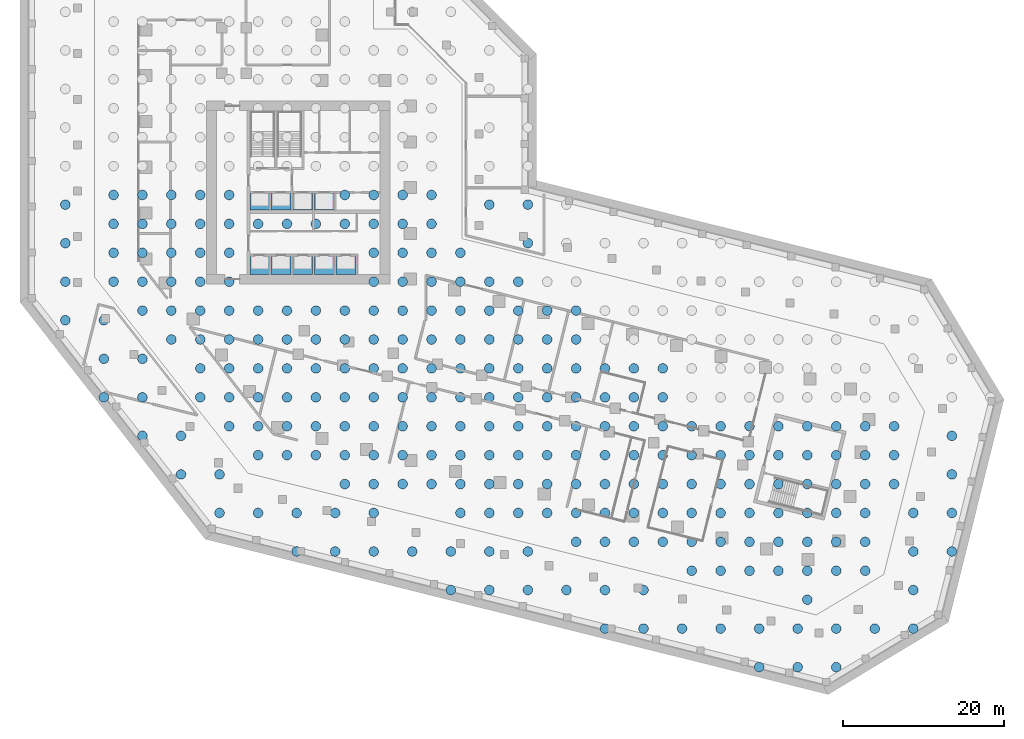
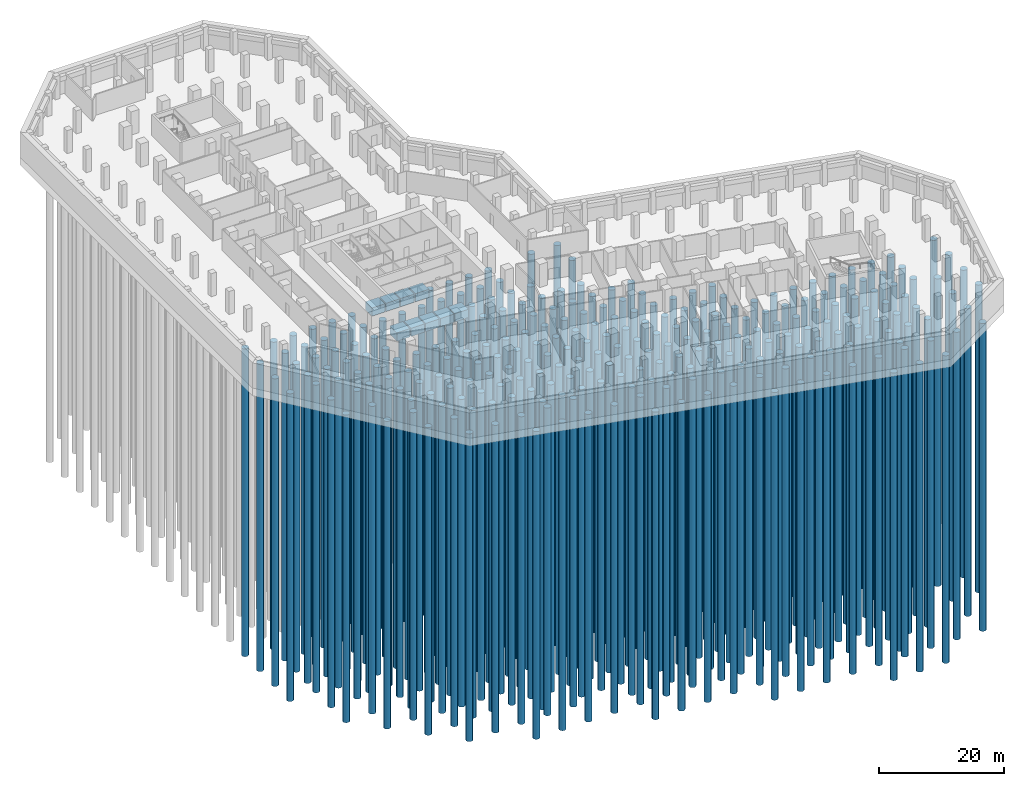
# One storey, part 1 of 15: 260 piles, 9 footings.
"""IFC4 building model written with IfcOpenShell, lengths in metres."""

from ifc_helpers import new_model, si_unit, direction, frame, origin, origin_2d, place, context, subcontext, project, spatial, polyline, circle, outline, extrude, material, layer, layer_set, material_profile, profile_set, type_object, element, save


model = new_model("IFC4")

# Units and contexts
model_context = context("Model", 3, precision=1e-05, world=origin(), true_north=direction((0.0, 1.0)))
body_context = subcontext(model_context, "Body", "Model", "MODEL_VIEW")
ifc_project = project(units=[si_unit("LENGTHUNIT", "METRE"), si_unit("AREAUNIT", "SQUARE_METRE"), si_unit("VOLUMEUNIT", "CUBIC_METRE"), si_unit("PLANEANGLEUNIT", "RADIAN"), si_unit("MASSUNIT", "GRAM", prefix="KILO")], contexts=[model_context])

# Site, building, storey
site_placement = place(None, origin())
site = spatial("IfcSite", under=ifc_project, at=site_placement, CompositionType="ELEMENT")
building_placement = place(site_placement, origin())
building = spatial("IfcBuilding", under=site, at=building_placement, Name="Meshkara Civic Tower", CompositionType="ELEMENT")
storey_placement = place(building_placement, frame((0.0, 0.0, -9.0)))
storey = spatial("IfcBuildingStorey", under=building, at=storey_placement, Name="B2", CompositionType="ELEMENT", Elevation=-9.0)

# Piles
ifc_material_1 = material(Name="Concrete C50", Category="concrete")
ifc_material_profile = material_profile(ifc_material_1, circle(Radius=0.60009765625, at=origin_2d()))
ifc_profile_set = profile_set([ifc_material_profile], Name="Concrete C50")
pile_type = type_object("IfcPileType", Name="Bored pile D1200 C50", PredefinedType="BORED", material=ifc_profile_set)
for number, where, z_axis, x_axis, name in (
    (1, (-3.60009765625, 14.39990234375, -3.25), (0.0, 0.0, -1.0), (1.0, 0.0, 0.0), "Bored pile"),
    (2, (-3.60009765625, 18.0, -3.25), (0.0, 0.0, -1.0), (1.0, 0.0, 0.0), "Bored pile"),
    (3, (-3.60009765625, 21.60009765625, -3.25), (0.0, 0.0, -1.0), (1.0, 0.0, 0.0), "Bored pile"),
    (4, (-3.60009765625, 25.199951171875, -3.25), (0.0, 0.0, -1.0), (1.0, 0.0, 0.0), "Bored pile"),
    (5, (0.0, 10.800048828125, -3.25), (0.0, 0.0, -1.0), (1.0, 0.0, 0.0), "Bored pile"),
    (6, (0.0, 14.39990234375, -3.25), (0.0, 0.0, -1.0), (1.0, 0.0, 0.0), "Bored pile"),
    (7, (0.0, 18.0, -3.25), (0.0, 0.0, -1.0), (1.0, 0.0, 0.0), "Bored pile"),
    (8, (0.0, 21.60009765625, -3.25), (0.0, 0.0, -1.0), (1.0, 0.0, 0.0), "Bored pile"),
    (9, (0.0, 25.199951171875, -3.25), (0.0, 0.0, -1.0), (1.0, 0.0, 0.0), "Bored pile"),
    (10, (3.60009765625, 7.199951171875, -3.25), (0.0, 0.0, -1.0), (1.0, 0.0, 0.0), "Bored pile"),
    (11, (3.60009765625, 10.800048828125, -3.25), (0.0, 0.0, -1.0), (1.0, 0.0, 0.0), "Bored pile"),
    (12, (3.60009765625, 14.39990234375, -3.25), (0.0, 0.0, -1.0), (1.0, 0.0, 0.0), "Bored pile"),
    (13, (3.60009765625, 18.0, -3.25), (0.0, 0.0, -1.0), (1.0, 0.0, 0.0), "Bored pile"),
    (14, (3.60009765625, 21.60009765625, -3.25), (0.0, 0.0, -1.0), (1.0, 0.0, 0.0), "Bored pile"),
    (15, (3.60009765625, 25.199951171875, -3.25), (0.0, 0.0, -1.0), (1.0, 0.0, 0.0), "Bored pile"),
    (16, (7.199951171875, 0.0, -3.25), (0.0, 0.0, -1.0), (1.0, 0.0, 0.0), "Bored pile"),
    (17, (7.199951171875, 3.60009765625, -3.25), (0.0, 0.0, -1.0), (1.0, 0.0, 0.0), "Bored pile"),
    (18, (7.199951171875, 7.199951171875, -3.25), (0.0, 0.0, -1.0), (1.0, 0.0, 0.0), "Bored pile"),
    (19, (7.199951171875, 10.800048828125, -3.25), (0.0, 0.0, -1.0), (1.0, 0.0, 0.0), "Bored pile"),
    (20, (7.199951171875, 14.39990234375, -3.25), (0.0, 0.0, -1.0), (1.0, 0.0, 0.0), "Bored pile"),
    (21, (7.199951171875, 18.0, -3.25), (0.0, 0.0, -1.0), (1.0, 0.0, 0.0), "Bored pile"),
    (22, (7.199951171875, 21.60009765625, -3.25), (0.0, 0.0, -1.0), (1.0, 0.0, 0.0), "Bored pile"),
    (23, (7.199951171875, 25.199951171875, -3.25), (0.0, 0.0, -1.0), (1.0, 0.0, 0.0), "Bored pile"),
    (24, (10.800048828125, -3.60009765625, -3.25), (0.0, 0.0, -1.0), (1.0, 0.0, 0.0), "Bored pile"),
    (25, (10.800048828125, 0.0, -3.25), (0.0, 0.0, -1.0), (1.0, 0.0, 0.0), "Bored pile"),
    (26, (10.800048828125, 3.60009765625, -3.25), (0.0, 0.0, -1.0), (1.0, 0.0, 0.0), "Bored pile"),
    (27, (10.800048828125, 7.199951171875, -3.25), (0.0, 0.0, -1.0), (1.0, 0.0, 0.0), "Bored pile"),
    (28, (10.800048828125, 10.800048828125, -3.25), (0.0, 0.0, -1.0), (1.0, 0.0, 0.0), "Bored pile"),
    (29, (10.800048828125, 14.39990234375, -3.25), (0.0, 0.0, -1.0), (1.0, 0.0, 0.0), "Bored pile"),
    (30, (10.800048828125, 18.0, -3.25), (0.0, 0.0, -1.0), (1.0, 0.0, 0.0), "Bored pile"),
    (31, (10.800048828125, 21.60009765625, -3.25), (0.0, 0.0, -1.0), (1.0, 0.0, 0.0), "Bored pile"),
    (32, (10.800048828125, 25.199951171875, -3.25), (0.0, 0.0, -1.0), (1.0, 0.0, 0.0), "Bored pile"),
    (33, (14.39990234375, -7.199951171875, -3.25), (0.0, 0.0, -1.0), (1.0, 0.0, 0.0), "Bored pile"),
    (34, (14.39990234375, -3.60009765625, -3.25), (0.0, 0.0, -1.0), (1.0, 0.0, 0.0), "Bored pile"),
    (35, (14.39990234375, 0.0, -3.25), (0.0, 0.0, -1.0), (1.0, 0.0, 0.0), "Bored pile"),
    (36, (14.39990234375, 3.60009765625, -3.25), (0.0, 0.0, -1.0), (1.0, 0.0, 0.0), "Bored pile"),
    (37, (14.39990234375, 7.199951171875, -3.25), (0.0, 0.0, -1.0), (1.0, 0.0, 0.0), "Bored pile"),
    (38, (14.39990234375, 10.800048828125, -3.25), (0.0, 0.0, -1.0), (1.0, 0.0, 0.0), "Bored pile"),
    (39, (14.39990234375, 21.60009765625, -3.25), (0.0, 0.0, -1.0), (1.0, 0.0, 0.0), "Bored pile"),
    (40, (18.0, -7.199951171875, -3.25), (0.0, 0.0, -1.0), (1.0, 0.0, 0.0), "Bored pile"),
    (41, (18.0, -3.60009765625, -3.25), (0.0, 0.0, -1.0), (1.0, 0.0, 0.0), "Bored pile"),
    (42, (18.0, 0.0, -3.25), (0.0, 0.0, -1.0), (1.0, 0.0, 0.0), "Bored pile"),
    (43, (18.0, 3.60009765625, -3.25), (0.0, 0.0, -1.0), (1.0, 0.0, 0.0), "Bored pile"),
    (44, (18.0, 7.199951171875, -3.25), (0.0, 0.0, -1.0), (1.0, 0.0, 0.0), "Bored pile"),
    (45, (18.0, 10.800048828125, -3.25), (0.0, 0.0, -1.0), (1.0, 0.0, 0.0), "Bored pile"),
    (46, (18.0, 21.60009765625, -3.25), (0.0, 0.0, -1.0), (1.0, 0.0, 0.0), "Bored pile"),
    (47, (21.60009765625, -7.199951171875, -3.25), (0.0, 0.0, -1.0), (1.0, 0.0, 0.0), "Bored pile"),
    (48, (21.60009765625, -3.60009765625, -3.25), (0.0, 0.0, -1.0), (1.0, 0.0, 0.0), "Bored pile"),
    (49, (21.60009765625, 0.0, -3.25), (0.0, 0.0, -1.0), (1.0, 0.0, 0.0), "Bored pile"),
    (50, (21.60009765625, 3.60009765625, -3.25), (0.0, 0.0, -1.0), (1.0, 0.0, 0.0), "Bored pile"),
    (51, (21.60009765625, 7.199951171875, -3.25), (0.0, 0.0, -1.0), (1.0, 0.0, 0.0), "Bored pile"),
    (52, (21.60009765625, 10.800048828125, -3.25), (0.0, 0.0, -1.0), (1.0, 0.0, 0.0), "Bored pile"),
    (53, (21.60009765625, 21.60009765625, -3.25), (0.0, 0.0, -1.0), (1.0, 0.0, 0.0), "Bored pile"),
    (54, (25.199951171875, -10.800048828125, -3.25), (0.0, 0.0, -1.0), (1.0, 0.0, 0.0), "Bored pile"),
    (55, (25.199951171875, -7.199951171875, -3.25), (0.0, 0.0, -1.0), (1.0, 0.0, 0.0), "Bored pile"),
    (56, (25.199951171875, -3.60009765625, -3.25), (0.0, 0.0, -1.0), (1.0, 0.0, 0.0), "Bored pile"),
    (57, (25.199951171875, 0.0, -3.25), (0.0, 0.0, -1.0), (1.0, 0.0, 0.0), "Bored pile"),
    (58, (25.199951171875, 3.60009765625, -3.25), (0.0, 0.0, -1.0), (1.0, 0.0, 0.0), "Bored pile"),
    (59, (25.199951171875, 7.199951171875, -3.25), (0.0, 0.0, -1.0), (1.0, 0.0, 0.0), "Bored pile"),
    (60, (25.199951171875, 10.800048828125, -3.25), (0.0, 0.0, -1.0), (1.0, 0.0, 0.0), "Bored pile"),
    (61, (25.199951171875, 21.60009765625, -3.25), (0.0, 0.0, -1.0), (1.0, 0.0, 0.0), "Bored pile"),
    (62, (25.199951171875, 25.199951171875, -3.25), (0.0, 0.0, -1.0), (1.0, 0.0, 0.0), "Bored pile"),
    (63, (28.800048828125, -10.800048828125, -3.25), (0.0, 0.0, -1.0), (1.0, 0.0, 0.0), "Bored pile"),
    (64, (28.800048828125, -7.199951171875, -3.25), (0.0, 0.0, -1.0), (1.0, 0.0, 0.0), "Bored pile"),
    (65, (28.800048828125, -3.60009765625, -3.25), (0.0, 0.0, -1.0), (1.0, 0.0, 0.0), "Bored pile"),
    (66, (28.800048828125, 0.0, -3.25), (0.0, 0.0, -1.0), (1.0, 0.0, 0.0), "Bored pile"),
    (67, (28.800048828125, 3.60009765625, -3.25), (0.0, 0.0, -1.0), (1.0, 0.0, 0.0), "Bored pile"),
    (68, (28.800048828125, 7.199951171875, -3.25), (0.0, 0.0, -1.0), (1.0, 0.0, 0.0), "Bored pile"),
    (69, (28.800048828125, 10.800048828125, -3.25), (0.0, 0.0, -1.0), (1.0, 0.0, 0.0), "Bored pile"),
    (70, (28.800048828125, 14.39990234375, -3.25), (0.0, 0.0, -1.0), (1.0, 0.0, 0.0), "Bored pile"),
    (71, (28.800048828125, 18.0, -3.25), (0.0, 0.0, -1.0), (1.0, 0.0, 0.0), "Bored pile"),
    (72, (28.800048828125, 21.60009765625, -3.25), (0.0, 0.0, -1.0), (1.0, 0.0, 0.0), "Bored pile"),
    (73, (28.800048828125, 25.199951171875, -3.25), (0.0, 0.0, -1.0), (1.0, 0.0, 0.0), "Bored pile"),
    (74, (32.39990234375, -10.800048828125, -3.25), (0.0, 0.0, -1.0), (1.0, 0.0, 0.0), "Bored pile"),
    (75, (32.39990234375, -7.199951171875, -3.25), (0.0, 0.0, -1.0), (1.0, 0.0, 0.0), "Bored pile"),
    (76, (32.39990234375, -3.60009765625, -3.25), (0.0, 0.0, -1.0), (1.0, 0.0, 0.0), "Bored pile"),
    (77, (32.39990234375, 0.0, -3.25), (0.0, 0.0, -1.0), (1.0, 0.0, 0.0), "Bored pile"),
    (78, (32.39990234375, 3.60009765625, -3.25), (0.0, 0.0, -1.0), (1.0, 0.0, 0.0), "Bored pile"),
    (79, (32.39990234375, 7.199951171875, -3.25), (0.0, 0.0, -1.0), (1.0, 0.0, 0.0), "Bored pile"),
    (80, (32.39990234375, 10.800048828125, -3.25), (0.0, 0.0, -1.0), (1.0, 0.0, 0.0), "Bored pile"),
    (81, (32.39990234375, 14.39990234375, -3.25), (0.0, 0.0, -1.0), (1.0, 0.0, 0.0), "Bored pile"),
    (82, (32.39990234375, 18.0, -3.25), (0.0, 0.0, -1.0), (1.0, 0.0, 0.0), "Bored pile"),
    (83, (32.39990234375, 21.60009765625, -3.25), (0.0, 0.0, -1.0), (1.0, 0.0, 0.0), "Bored pile"),
    (84, (32.39990234375, 25.199951171875, -3.25), (0.0, 0.0, -1.0), (1.0, 0.0, 0.0), "Bored pile"),
    (85, (36.0, -10.800048828125, -3.25), (0.0, 0.0, -1.0), (1.0, 0.0, 0.0), "Bored pile"),
    (86, (36.0, -7.199951171875, -3.25), (0.0, 0.0, -1.0), (1.0, 0.0, 0.0), "Bored pile"),
    (87, (36.0, -3.60009765625, -3.25), (0.0, 0.0, -1.0), (1.0, 0.0, 0.0), "Bored pile"),
    (88, (36.0, 0.0, -3.25), (0.0, 0.0, -1.0), (1.0, 0.0, 0.0), "Bored pile"),
    (89, (36.0, 3.60009765625, -3.25), (0.0, 0.0, -1.0), (1.0, 0.0, 0.0), "Bored pile"),
    (90, (36.0, 7.199951171875, -3.25), (0.0, 0.0, -1.0), (1.0, 0.0, 0.0), "Bored pile"),
    (91, (36.0, 10.800048828125, -3.25), (0.0, 0.0, -1.0), (1.0, 0.0, 0.0), "Bored pile"),
    (92, (36.0, 14.39990234375, -3.25), (0.0, 0.0, -1.0), (1.0, 0.0, 0.0), "Bored pile"),
    (93, (36.0, 18.0, -3.25), (0.0, 0.0, -1.0), (1.0, 0.0, 0.0), "Bored pile"),
    (94, (36.0, 21.60009765625, -3.25), (0.0, 0.0, -1.0), (1.0, 0.0, 0.0), "Bored pile"),
    (95, (36.0, 25.199951171875, -3.25), (0.0, 0.0, -1.0), (1.0, 0.0, 0.0), "Bored pile"),
    (96, (39.60009765625, -14.39990234375, -3.25), (0.0, 0.0, -1.0), (1.0, 0.0, 0.0), "Bored pile"),
    (97, (39.60009765625, -10.800048828125, -3.25), (0.0, 0.0, -1.0), (1.0, 0.0, 0.0), "Bored pile"),
    (98, (39.60009765625, -7.199951171875, -3.25), (0.0, 0.0, -1.0), (1.0, 0.0, 0.0), "Bored pile"),
    (99, (39.60009765625, -3.60009765625, -3.25), (0.0, 0.0, -1.0), (1.0, 0.0, 0.0), "Bored pile"),
    (100, (39.60009765625, 0.0, -3.25), (0.0, 0.0, -1.0), (1.0, 0.0, 0.0), "Bored pile"),
    (101, (39.60009765625, 3.60009765625, -3.25), (0.0, 0.0, -1.0), (1.0, 0.0, 0.0), "Bored pile"),
    (102, (39.60009765625, 7.199951171875, -3.25), (0.0, 0.0, -1.0), (1.0, 0.0, 0.0), "Bored pile"),
    (103, (39.60009765625, 10.800048828125, -3.25), (0.0, 0.0, -1.0), (1.0, 0.0, 0.0), "Bored pile"),
    (104, (39.60009765625, 14.39990234375, -3.25), (0.0, 0.0, -1.0), (1.0, 0.0, 0.0), "Bored pile"),
    (105, (39.60009765625, 18.0, -3.25), (0.0, 0.0, -1.0), (1.0, 0.0, 0.0), "Bored pile"),
    (106, (43.199951171875, -14.39990234375, -3.25), (0.0, 0.0, -1.0), (1.0, 0.0, 0.0), "Bored pile"),
    (107, (43.199951171875, -10.800048828125, -3.25), (0.0, 0.0, -1.0), (1.0, 0.0, 0.0), "Bored pile"),
    (108, (43.199951171875, -7.199951171875, -3.25), (0.0, 0.0, -1.0), (1.0, 0.0, 0.0), "Bored pile"),
    (109, (43.199951171875, -3.60009765625, -3.25), (0.0, 0.0, -1.0), (1.0, 0.0, 0.0), "Bored pile"),
    (110, (43.199951171875, 0.0, -3.25), (0.0, 0.0, -1.0), (1.0, 0.0, 0.0), "Bored pile"),
    (111, (43.199951171875, 3.60009765625, -3.25), (0.0, 0.0, -1.0), (1.0, 0.0, 0.0), "Bored pile"),
    (112, (43.199951171875, 7.199951171875, -3.25), (0.0, 0.0, -1.0), (1.0, 0.0, 0.0), "Bored pile"),
    (113, (43.199951171875, 10.800048828125, -3.25), (0.0, 0.0, -1.0), (1.0, 0.0, 0.0), "Bored pile"),
    (114, (43.199951171875, 14.39990234375, -3.25), (0.0, 0.0, -1.0), (1.0, 0.0, 0.0), "Bored pile"),
    (115, (46.800048828125, -14.39990234375, -3.25), (0.0, 0.0, -1.0), (1.0, 0.0, 0.0), "Bored pile"),
    (116, (46.800048828125, -10.800048828125, -3.25), (0.0, 0.0, -1.0), (1.0, 0.0, 0.0), "Bored pile"),
    (117, (46.800048828125, -7.199951171875, -3.25), (0.0, 0.0, -1.0), (1.0, 0.0, 0.0), "Bored pile"),
    (118, (46.800048828125, -3.60009765625, -3.25), (0.0, 0.0, -1.0), (1.0, 0.0, 0.0), "Bored pile"),
    (119, (46.800048828125, 0.0, -3.25), (0.0, 0.0, -1.0), (1.0, 0.0, 0.0), "Bored pile"),
    (120, (46.800048828125, 3.60009765625, -3.25), (0.0, 0.0, -1.0), (1.0, 0.0, 0.0), "Bored pile"),
    (121, (46.800048828125, 7.199951171875, -3.25), (0.0, 0.0, -1.0), (1.0, 0.0, 0.0), "Bored pile"),
    (122, (46.800048828125, 10.800048828125, -3.25), (0.0, 0.0, -1.0), (1.0, 0.0, 0.0), "Bored pile"),
    (123, (46.800048828125, 14.39990234375, -3.25), (0.0, 0.0, -1.0), (1.0, 0.0, 0.0), "Bored pile"),
    (124, (50.39990234375, -14.39990234375, -3.25), (0.0, 0.0, -1.0), (1.0, 0.0, 0.0), "Bored pile"),
    (125, (50.39990234375, -10.800048828125, -3.25), (0.0, 0.0, -1.0), (1.0, 0.0, 0.0), "Bored pile"),
    (126, (50.39990234375, -7.199951171875, -3.25), (0.0, 0.0, -1.0), (1.0, 0.0, 0.0), "Bored pile"),
    (127, (50.39990234375, -3.60009765625, -3.25), (0.0, 0.0, -1.0), (1.0, 0.0, 0.0), "Bored pile"),
    (128, (50.39990234375, 0.0, -3.25), (0.0, 0.0, -1.0), (1.0, 0.0, 0.0), "Bored pile"),
    (129, (50.39990234375, 3.60009765625, -3.25), (0.0, 0.0, -1.0), (1.0, 0.0, 0.0), "Bored pile"),
    (130, (50.39990234375, 7.199951171875, -3.25), (0.0, 0.0, -1.0), (1.0, 0.0, 0.0), "Bored pile"),
    (131, (50.39990234375, 10.800048828125, -3.25), (0.0, 0.0, -1.0), (1.0, 0.0, 0.0), "Bored pile"),
    (132, (54.0, -18.0, -3.25), (0.0, 0.0, -1.0), (1.0, 0.0, 0.0), "Bored pile"),
    (133, (54.0, -14.39990234375, -3.25), (0.0, 0.0, -1.0), (1.0, 0.0, 0.0), "Bored pile"),
    (134, (54.0, -10.800048828125, -3.25), (0.0, 0.0, -1.0), (1.0, 0.0, 0.0), "Bored pile"),
    (135, (54.0, -7.199951171875, -3.25), (0.0, 0.0, -1.0), (1.0, 0.0, 0.0), "Bored pile"),
    (136, (54.0, -3.60009765625, -3.25), (0.0, 0.0, -1.0), (1.0, 0.0, 0.0), "Bored pile"),
    (137, (54.0, 0.0, -3.25), (0.0, 0.0, -1.0), (1.0, 0.0, 0.0), "Bored pile"),
    (138, (54.0, 3.60009765625, -3.25), (0.0, 0.0, -1.0), (1.0, 0.0, 0.0), "Bored pile"),
    (139, (54.0, 7.199951171875, -3.25), (0.0, 0.0, -1.0), (1.0, 0.0, 0.0), "Bored pile"),
    (140, (54.0, 10.800048828125, -3.25), (0.0, 0.0, -1.0), (1.0, 0.0, 0.0), "Bored pile"),
    (141, (57.60009765625, -18.0, -3.25), (0.0, 0.0, -1.0), (1.0, 0.0, 0.0), "Bored pile"),
    (142, (57.60009765625, -14.39990234375, -3.25), (0.0, 0.0, -1.0), (1.0, 0.0, 0.0), "Bored pile"),
    (143, (57.60009765625, -10.800048828125, -3.25), (0.0, 0.0, -1.0), (1.0, 0.0, 0.0), "Bored pile"),
    (144, (57.60009765625, -7.199951171875, -3.25), (0.0, 0.0, -1.0), (1.0, 0.0, 0.0), "Bored pile"),
    (145, (57.60009765625, -3.60009765625, -3.25), (0.0, 0.0, -1.0), (1.0, 0.0, 0.0), "Bored pile"),
    (146, (57.60009765625, 0.0, -3.25), (0.0, 0.0, -1.0), (1.0, 0.0, 0.0), "Bored pile"),
    (147, (57.60009765625, 3.60009765625, -3.25), (0.0, 0.0, -1.0), (1.0, 0.0, 0.0), "Bored pile"),
    (148, (61.199951171875, -18.0, -3.25), (0.0, 0.0, -1.0), (1.0, 0.0, 0.0), "Bored pile"),
    (149, (61.199951171875, -14.39990234375, -3.25), (0.0, 0.0, -1.0), (1.0, 0.0, 0.0), "Bored pile"),
    (150, (61.199951171875, -10.800048828125, -3.25), (0.0, 0.0, -1.0), (1.0, 0.0, 0.0), "Bored pile"),
    (151, (61.199951171875, -7.199951171875, -3.25), (0.0, 0.0, -1.0), (1.0, 0.0, 0.0), "Bored pile"),
    (152, (61.199951171875, -3.60009765625, -3.25), (0.0, 0.0, -1.0), (1.0, 0.0, 0.0), "Bored pile"),
    (153, (61.199951171875, 0.0, -3.25), (0.0, 0.0, -1.0), (1.0, 0.0, 0.0), "Bored pile"),
    (154, (61.199951171875, 3.60009765625, -3.25), (0.0, 0.0, -1.0), (1.0, 0.0, 0.0), "Bored pile"),
    (155, (64.800048828125, -18.0, -3.25), (0.0, 0.0, -1.0), (1.0, 0.0, 0.0), "Bored pile"),
    (156, (64.800048828125, -14.39990234375, -3.25), (0.0, 0.0, -1.0), (1.0, 0.0, 0.0), "Bored pile"),
    (157, (64.800048828125, -10.800048828125, -3.25), (0.0, 0.0, -1.0), (1.0, 0.0, 0.0), "Bored pile"),
    (158, (64.800048828125, -7.199951171875, -3.25), (0.0, 0.0, -1.0), (1.0, 0.0, 0.0), "Bored pile"),
    (159, (64.800048828125, -3.60009765625, -3.25), (0.0, 0.0, -1.0), (1.0, 0.0, 0.0), "Bored pile"),
    (160, (64.800048828125, 0.0, -3.25), (0.0, 0.0, -1.0), (1.0, 0.0, 0.0), "Bored pile"),
    (161, (64.800048828125, 3.60009765625, -3.25), (0.0, 0.0, -1.0), (1.0, 0.0, 0.0), "Bored pile"),
    (162, (68.39990234375, -21.60009765625, -3.25), (0.0, 0.0, -1.0), (1.0, 0.0, 0.0), "Bored pile"),
    (163, (68.39990234375, -18.0, -3.25), (0.0, 0.0, -1.0), (1.0, 0.0, 0.0), "Bored pile"),
    (164, (68.39990234375, -14.39990234375, -3.25), (0.0, 0.0, -1.0), (1.0, 0.0, 0.0), "Bored pile"),
    (165, (68.39990234375, -10.800048828125, -3.25), (0.0, 0.0, -1.0), (1.0, 0.0, 0.0), "Bored pile"),
    (166, (68.39990234375, -7.199951171875, -3.25), (0.0, 0.0, -1.0), (1.0, 0.0, 0.0), "Bored pile"),
    (167, (68.39990234375, -3.60009765625, -3.25), (0.0, 0.0, -1.0), (1.0, 0.0, 0.0), "Bored pile"),
    (168, (72.0, -21.60009765625, -3.25), (0.0, 0.0, -1.0), (1.0, 0.0, 0.0), "Bored pile"),
    (169, (72.0, -18.0, -3.25), (0.0, 0.0, -1.0), (1.0, 0.0, 0.0), "Bored pile"),
    (170, (72.0, -14.39990234375, -3.25), (0.0, 0.0, -1.0), (1.0, 0.0, 0.0), "Bored pile"),
    (171, (72.0, -10.800048828125, -3.25), (0.0, 0.0, -1.0), (1.0, 0.0, 0.0), "Bored pile"),
    (172, (72.0, -7.199951171875, -3.25), (0.0, 0.0, -1.0), (1.0, 0.0, 0.0), "Bored pile"),
    (173, (72.0, -3.60009765625, -3.25), (0.0, 0.0, -1.0), (1.0, 0.0, 0.0), "Bored pile"),
    (174, (75.60009765625, -21.60009765625, -3.25), (0.0, 0.0, -1.0), (1.0, 0.0, 0.0), "Bored pile"),
    (175, (75.60009765625, -18.0, -3.25), (0.0, 0.0, -1.0), (1.0, 0.0, 0.0), "Bored pile"),
    (176, (75.60009765625, -14.39990234375, -3.25), (0.0, 0.0, -1.0), (1.0, 0.0, 0.0), "Bored pile"),
    (177, (75.60009765625, -10.800048828125, -3.25), (0.0, 0.0, -1.0), (1.0, 0.0, 0.0), "Bored pile"),
    (178, (75.60009765625, -7.199951171875, -3.25), (0.0, 0.0, -1.0), (1.0, 0.0, 0.0), "Bored pile"),
    (179, (75.60009765625, -3.60009765625, -3.25), (0.0, 0.0, -1.0), (1.0, 0.0, 0.0), "Bored pile"),
    (180, (79.199951171875, -21.60009765625, -3.25), (0.0, 0.0, -1.0), (1.0, 0.0, 0.0), "Bored pile"),
    (181, (79.199951171875, -18.0, -3.25), (0.0, 0.0, -1.0), (1.0, 0.0, 0.0), "Bored pile"),
    (182, (79.199951171875, -14.39990234375, -3.25), (0.0, 0.0, -1.0), (1.0, 0.0, 0.0), "Bored pile"),
    (183, (79.199951171875, -10.800048828125, -3.25), (0.0, 0.0, -1.0), (1.0, 0.0, 0.0), "Bored pile"),
    (184, (79.199951171875, -7.199951171875, -3.25), (0.0, 0.0, -1.0), (1.0, 0.0, 0.0), "Bored pile"),
    (185, (79.199951171875, -3.60009765625, -3.25), (0.0, 0.0, -1.0), (1.0, 0.0, 0.0), "Bored pile"),
    (186, (82.800048828125, -25.199951171875, -3.25), (0.0, 0.0, -1.0), (1.0, 0.0, 0.0), "Bored pile"),
    (187, (82.800048828125, -21.60009765625, -3.25), (0.0, 0.0, -1.0), (1.0, 0.0, 0.0), "Bored pile"),
    (188, (82.800048828125, -18.0, -3.25), (0.0, 0.0, -1.0), (1.0, 0.0, 0.0), "Bored pile"),
    (189, (82.800048828125, -14.39990234375, -3.25), (0.0, 0.0, -1.0), (1.0, 0.0, 0.0), "Bored pile"),
    (190, (82.800048828125, -10.800048828125, -3.25), (0.0, 0.0, -1.0), (1.0, 0.0, 0.0), "Bored pile"),
    (191, (82.800048828125, -7.199951171875, -3.25), (0.0, 0.0, -1.0), (1.0, 0.0, 0.0), "Bored pile"),
    (192, (82.800048828125, -3.60009765625, -3.25), (0.0, 0.0, -1.0), (1.0, 0.0, 0.0), "Bored pile"),
    (193, (86.39990234375, -21.60009765625, -3.25), (0.0, 0.0, -1.0), (1.0, 0.0, 0.0), "Bored pile"),
    (194, (86.39990234375, -18.0, -3.25), (0.0, 0.0, -1.0), (1.0, 0.0, 0.0), "Bored pile"),
    (195, (86.39990234375, -14.39990234375, -3.25), (0.0, 0.0, -1.0), (1.0, 0.0, 0.0), "Bored pile"),
    (196, (86.39990234375, -10.800048828125, -3.25), (0.0, 0.0, -1.0), (1.0, 0.0, 0.0), "Bored pile"),
    (197, (86.39990234375, -7.199951171875, -3.25), (0.0, 0.0, -1.0), (1.0, 0.0, 0.0), "Bored pile"),
    (198, (86.39990234375, -3.60009765625, -3.25), (0.0, 0.0, -1.0), (1.0, 0.0, 0.0), "Bored pile"),
    (199, (90.0, -21.60009765625, -3.25), (0.0, 0.0, -1.0), (1.0, 0.0, 0.0), "Bored pile"),
    (200, (90.0, -18.0, -3.25), (0.0, 0.0, -1.0), (1.0, 0.0, 0.0), "Bored pile"),
    (201, (90.0, -14.39990234375, -3.25), (0.0, 0.0, -1.0), (1.0, 0.0, 0.0), "Bored pile"),
    (202, (90.0, -10.800048828125, -3.25), (0.0, 0.0, -1.0), (1.0, 0.0, 0.0), "Bored pile"),
    (203, (90.0, -7.199951171875, -3.25), (0.0, 0.0, -1.0), (1.0, 0.0, 0.0), "Bored pile"),
    (204, (90.0, -3.60009765625, -3.25), (0.0, 0.0, -1.0), (1.0, 0.0, 0.0), "Bored pile"),
    (205, (93.60009765625, -10.800048828125, -3.25), (0.0, 0.0, -1.0), (1.0, 0.0, 0.0), "Bored pile"),
    (206, (93.60009765625, -7.199951171875, -3.25), (0.0, 0.0, -1.0), (1.0, 0.0, 0.0), "Bored pile"),
    (207, (93.60009765625, -3.60009765625, -3.25), (0.0, 0.0, -1.0), (1.0, 0.0, 0.0), "Bored pile"),
    (208, (-9.60009765625, 9.60009765625, -1.75), (0.0, 0.0, -1.0), (1.0, 0.0, 0.0), "Bored pile"),
    (209, (-9.60009765625, 14.39990234375, -1.75), (0.0, 0.0, -1.0), (1.0, 0.0, 0.0), "Bored pile"),
    (210, (-9.60009765625, 19.199951171875, -1.75), (0.0, 0.0, -1.0), (1.0, 0.0, 0.0), "Bored pile"),
    (211, (-9.60009765625, 24.0, -1.75), (0.0, 0.0, -1.0), (1.0, 0.0, 0.0), "Bored pile"),
    (212, (-4.800048828125, 0.0, -1.75), (0.0, 0.0, -1.0), (1.0, 0.0, 0.0), "Bored pile"),
    (213, (-4.800048828125, 4.800048828125, -1.75), (0.0, 0.0, -1.0), (1.0, 0.0, 0.0), "Bored pile"),
    (214, (-4.800048828125, 9.60009765625, -1.75), (0.0, 0.0, -1.0), (1.0, 0.0, 0.0), "Bored pile"),
    (215, (0.0, -4.800048828125, -1.75), (0.0, 0.0, -1.0), (1.0, 0.0, 0.0), "Bored pile"),
    (216, (0.0, 0.0, -1.75), (0.0, 0.0, -1.0), (1.0, 0.0, 0.0), "Bored pile"),
    (217, (0.0, 4.800048828125, -1.75), (0.0, 0.0, -1.0), (1.0, 0.0, 0.0), "Bored pile"),
    (218, (4.800048828125, -9.60009765625, -1.75), (0.0, 0.0, -1.0), (1.0, 0.0, 0.0), "Bored pile"),
    (219, (4.800048828125, -4.800048828125, -1.75), (0.0, 0.0, -1.0), (1.0, 0.0, 0.0), "Bored pile"),
    (220, (9.60009765625, -14.39990234375, -1.75), (0.0, 0.0, -1.0), (1.0, 0.0, 0.0), "Bored pile"),
    (221, (9.60009765625, -9.60009765625, -1.75), (0.0, 0.0, -1.0), (1.0, 0.0, 0.0), "Bored pile"),
    (222, (14.39990234375, -14.39990234375, -1.75), (0.0, 0.0, -1.0), (1.0, 0.0, 0.0), "Bored pile"),
    (223, (19.199951171875, -19.199951171875, -1.75), (0.0, 0.0, -1.0), (1.0, 0.0, 0.0), "Bored pile"),
    (224, (19.199951171875, -14.39990234375, -1.75), (0.0, 0.0, -1.0), (1.0, 0.0, 0.0), "Bored pile"),
    (225, (24.0, -19.199951171875, -1.75), (0.0, 0.0, -1.0), (1.0, 0.0, 0.0), "Bored pile"),
    (226, (24.0, -14.39990234375, -1.75), (0.0, 0.0, -1.0), (1.0, 0.0, 0.0), "Bored pile"),
    (227, (28.800048828125, -19.199951171875, -1.75), (0.0, 0.0, -1.0), (1.0, 0.0, 0.0), "Bored pile"),
    (228, (28.800048828125, -14.39990234375, -1.75), (0.0, 0.0, -1.0), (1.0, 0.0, 0.0), "Bored pile"),
    (229, (33.60009765625, -19.199951171875, -1.75), (0.0, 0.0, -1.0), (1.0, 0.0, 0.0), "Bored pile"),
    (230, (38.39990234375, -24.0, -1.75), (0.0, 0.0, -1.0), (1.0, 0.0, 0.0), "Bored pile"),
    (231, (38.39990234375, -19.199951171875, -1.75), (0.0, 0.0, -1.0), (1.0, 0.0, 0.0), "Bored pile"),
    (232, (43.199951171875, -24.0, -1.75), (0.0, 0.0, -1.0), (1.0, 0.0, 0.0), "Bored pile"),
    (233, (43.199951171875, -19.199951171875, -1.75), (0.0, 0.0, -1.0), (1.0, 0.0, 0.0), "Bored pile"),
    (234, (43.199951171875, 24.0, -1.75), (0.0, 0.0, -1.0), (1.0, 0.0, 0.0), "Bored pile"),
    (235, (48.0, -24.0, -1.75), (0.0, 0.0, -1.0), (1.0, 0.0, 0.0), "Bored pile"),
    (236, (48.0, -19.199951171875, -1.75), (0.0, 0.0, -1.0), (1.0, 0.0, 0.0), "Bored pile"),
    (237, (48.0, 19.199951171875, -1.75), (0.0, 0.0, -1.0), (1.0, 0.0, 0.0), "Bored pile"),
    (238, (48.0, 24.0, -1.75), (0.0, 0.0, -1.0), (1.0, 0.0, 0.0), "Bored pile"),
    (239, (52.800048828125, -24.0, -1.75), (0.0, 0.0, -1.0), (1.0, 0.0, 0.0), "Bored pile"),
    (240, (57.60009765625, -28.800048828125, -1.75), (0.0, 0.0, -1.0), (1.0, 0.0, 0.0), "Bored pile"),
    (241, (57.60009765625, -24.0, -1.75), (0.0, 0.0, -1.0), (1.0, 0.0, 0.0), "Bored pile"),
    (242, (62.39990234375, -28.800048828125, -1.75), (0.0, 0.0, -1.0), (1.0, 0.0, 0.0), "Bored pile"),
    (243, (62.39990234375, -24.0, -1.75), (0.0, 0.0, -1.0), (1.0, 0.0, 0.0), "Bored pile"),
    (244, (67.199951171875, -28.800048828125, -1.75), (0.0, 0.0, -1.0), (1.0, 0.0, 0.0), "Bored pile"),
    (245, (72.0, -28.800048828125, -1.75), (0.0, 0.0, -1.0), (1.0, 0.0, 0.0), "Bored pile"),
    (246, (76.800048828125, -33.60009765625, -1.75), (0.0, 0.0, -1.0), (1.0, 0.0, 0.0), "Bored pile"),
    (247, (76.800048828125, -28.800048828125, -1.75), (0.0, 0.0, -1.0), (1.0, 0.0, 0.0), "Bored pile"),
    (248, (81.60009765625, -33.60009765625, -1.75), (0.0, 0.0, -1.0), (1.0, 0.0, 0.0), "Bored pile"),
    (249, (81.60009765625, -28.800048828125, -1.75), (0.0, 0.0, -1.0), (1.0, 0.0, 0.0), "Bored pile"),
    (250, (86.39990234375, -33.60009765625, -1.75), (0.0, 0.0, -1.0), (1.0, 0.0, 0.0), "Bored pile"),
    (251, (86.39990234375, -28.800048828125, -1.75), (0.0, 0.0, -1.0), (1.0, 0.0, 0.0), "Bored pile"),
    (252, (91.199951171875, -28.800048828125, -1.75), (0.0, 0.0, -1.0), (1.0, 0.0, 0.0), "Bored pile"),
    (253, (96.0, -28.800048828125, -1.75), (0.0, 0.0, -1.0), (1.0, 0.0, 0.0), "Bored pile"),
    (254, (96.0, -24.0, -1.75), (0.0, 0.0, -1.0), (1.0, 0.0, 0.0), "Bored pile"),
    (255, (96.0, -19.199951171875, -1.75), (0.0, 0.0, -1.0), (1.0, 0.0, 0.0), "Bored pile"),
    (256, (96.0, -14.39990234375, -1.75), (0.0, 0.0, -1.0), (1.0, 0.0, 0.0), "Bored pile"),
    (257, (100.800048828125, -19.199951171875, -1.75), (0.0, 0.0, -1.0), (1.0, 0.0, 0.0), "Bored pile"),
    (258, (100.800048828125, -14.39990234375, -1.75), (0.0, 0.0, -1.0), (1.0, 0.0, 0.0), "Bored pile"),
    (259, (100.800048828125, -9.60009765625, -1.75), (0.0, 0.0, -1.0), (1.0, 0.0, 0.0), "Bored pile"),
    (260, (100.800048828125, -4.800048828125, -1.75), (0.0, 0.0, -1.0), (1.0, 0.0, 0.0), "Bored pile"),
):
    element("IfcPile", number, at=place(storey_placement, frame(where, z_axis=z_axis, x_axis=x_axis)), inside=storey, type_object=pile_type, Name=name, PredefinedType="BORED", context=body_context, shape_type="SweptSolid", body=[
        extrude(circle(Radius=0.60009765625, at=origin_2d()), origin(), (0.0, 0.0, 1.0), 60.0),
    ])

# Footings
ifc_material_2 = material(Name="Concrete C60", Category="concrete")
ifc_layer = layer(ifc_material_2, 1.60009765625)
ifc_layer_set = layer_set([ifc_layer], Name="Lift pit slab 1600 C60")
footing_type = type_object("IfcFootingType", Name="Lift pit slab 1600 C60", PredefinedType="PAD_FOOTING", material=ifc_layer_set)
footing_1_placement = place(storey_placement, frame((0.0, 0.0, -3.39990234375)))
element("IfcFooting", 261, at=footing_1_placement, inside=storey, type_object=footing_type, Name="Lift pit slab LP1", PredefinedType="PAD_FOOTING", context=body_context, shape_type="SweptSolid", body=[
    extrude(outline(polyline([(13.39990234375, 15.300048828125), (13.39990234375, 17.60009765625), (15.800048828125, 17.60009765625), (15.800048828125, 15.300048828125), (13.39990234375, 15.300048828125)])), origin(), (0.0, 0.0, 1.0), 1.599853515625),
])
footing_2_placement = place(storey_placement, frame((0.0, 0.0, -3.39990234375)))
element("IfcFooting", 262, at=footing_2_placement, inside=storey, type_object=footing_type, Name="Lift pit slab LP2", PredefinedType="PAD_FOOTING", context=body_context, shape_type="SweptSolid", body=[
    extrude(outline(polyline([(16.0, 15.300048828125), (16.0, 17.60009765625), (18.5, 17.60009765625), (18.5, 15.300048828125), (16.0, 15.300048828125)])), origin(), (0.0, 0.0, 1.0), 1.599853515625),
])
footing_3_placement = place(storey_placement, frame((0.0, 0.0, -3.39990234375)))
element("IfcFooting", 263, at=footing_3_placement, inside=storey, type_object=footing_type, Name="Lift pit slab LP3", PredefinedType="PAD_FOOTING", context=body_context, shape_type="SweptSolid", body=[
    extrude(outline(polyline([(18.699951171875, 15.300048828125), (18.699951171875, 17.60009765625), (21.199951171875, 17.60009765625), (21.199951171875, 15.300048828125), (18.699951171875, 15.300048828125)])), origin(), (0.0, 0.0, 1.0), 1.599853515625),
])
footing_4_placement = place(storey_placement, frame((0.0, 0.0, -3.39990234375)))
element("IfcFooting", 264, at=footing_4_placement, inside=storey, type_object=footing_type, Name="Lift pit slab LP4", PredefinedType="PAD_FOOTING", context=body_context, shape_type="SweptSolid", body=[
    extrude(outline(polyline([(21.39990234375, 15.300048828125), (21.39990234375, 17.60009765625), (23.89990234375, 17.60009765625), (23.89990234375, 15.300048828125), (21.39990234375, 15.300048828125)])), origin(), (0.0, 0.0, 1.0), 1.599853515625),
])
footing_5_placement = place(storey_placement, frame((0.0, 0.0, -3.39990234375)))
element("IfcFooting", 265, at=footing_5_placement, inside=storey, type_object=footing_type, Name="Lift pit slab LP5", PredefinedType="PAD_FOOTING", context=body_context, shape_type="SweptSolid", body=[
    extrude(outline(polyline([(24.10009765625, 15.300048828125), (24.10009765625, 17.60009765625), (26.60009765625, 17.60009765625), (26.60009765625, 15.300048828125), (24.10009765625, 15.300048828125)])), origin(), (0.0, 0.0, 1.0), 1.599853515625),
])
footing_6_placement = place(storey_placement, frame((0.0, 0.0, -3.39990234375)))
element("IfcFooting", 266, at=footing_6_placement, inside=storey, type_object=footing_type, Name="Lift pit slab FF1", PredefinedType="PAD_FOOTING", context=body_context, shape_type="SweptSolid", body=[
    extrude(outline(polyline([(13.39990234375, 25.39990234375), (15.800048828125, 25.39990234375), (15.800048828125, 23.300048828125), (13.39990234375, 23.300048828125), (13.39990234375, 25.39990234375)])), origin(), (0.0, 0.0, 1.0), 1.599853515625),
])
footing_7_placement = place(storey_placement, frame((0.0, 0.0, -3.39990234375)))
element("IfcFooting", 267, at=footing_7_placement, inside=storey, type_object=footing_type, Name="Lift pit slab FF2", PredefinedType="PAD_FOOTING", context=body_context, shape_type="SweptSolid", body=[
    extrude(outline(polyline([(18.5, 23.300048828125), (16.0, 23.300048828125), (16.0, 25.39990234375), (18.5, 25.39990234375), (18.5, 23.300048828125)])), origin(), (0.0, 0.0, 1.0), 1.599853515625),
])
footing_8_placement = place(storey_placement, frame((0.0, 0.0, -3.39990234375)))
element("IfcFooting", 268, at=footing_8_placement, inside=storey, type_object=footing_type, Name="Lift pit slab SV1", PredefinedType="PAD_FOOTING", context=body_context, shape_type="SweptSolid", body=[
    extrude(outline(polyline([(18.699951171875, 25.39990234375), (21.199951171875, 25.39990234375), (21.199951171875, 23.300048828125), (18.699951171875, 23.300048828125), (18.699951171875, 25.39990234375)])), origin(), (0.0, 0.0, 1.0), 1.599853515625),
])
footing_9_placement = place(storey_placement, frame((0.0, 0.0, -3.39990234375)))
element("IfcFooting", 269, at=footing_9_placement, inside=storey, type_object=footing_type, Name="Lift pit slab SV2", PredefinedType="PAD_FOOTING", context=body_context, shape_type="SweptSolid", body=[
    extrude(outline(polyline([(21.39990234375, 23.300048828125), (21.39990234375, 25.39990234375), (23.89990234375, 25.39990234375), (23.89990234375, 23.300048828125), (21.39990234375, 23.300048828125)])), origin(), (0.0, 0.0, 1.0), 1.599853515625),
])

save(model, "model.ifc")
